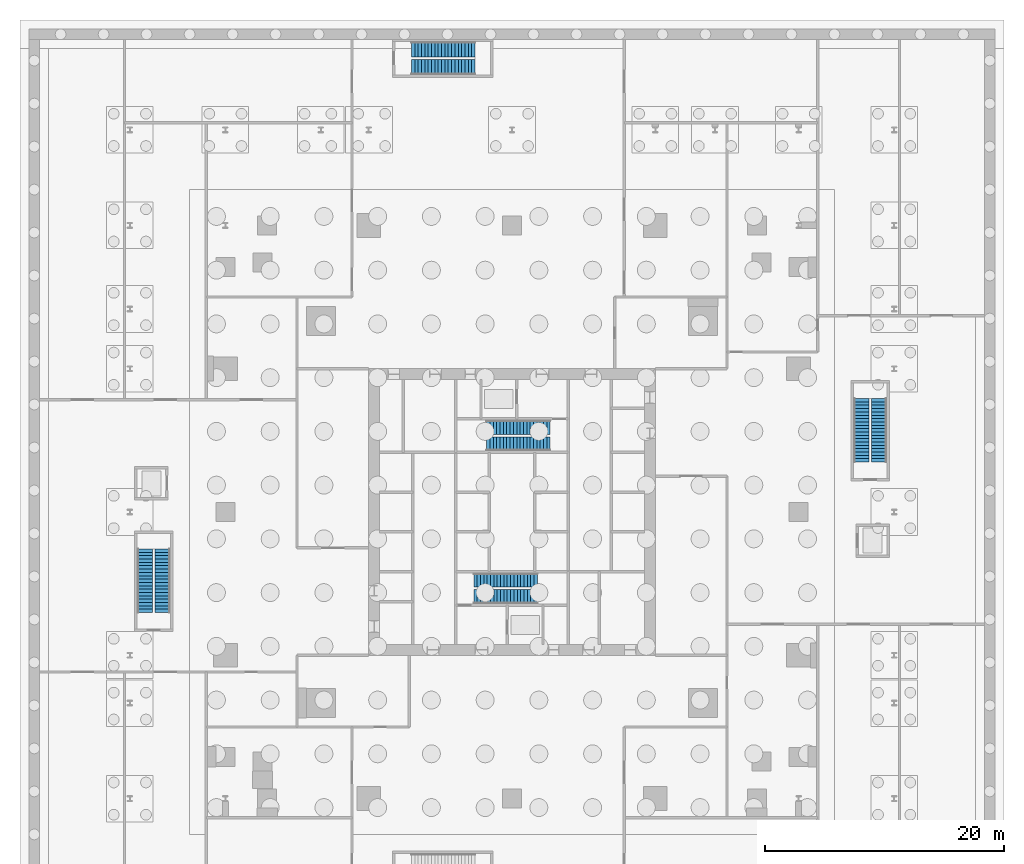
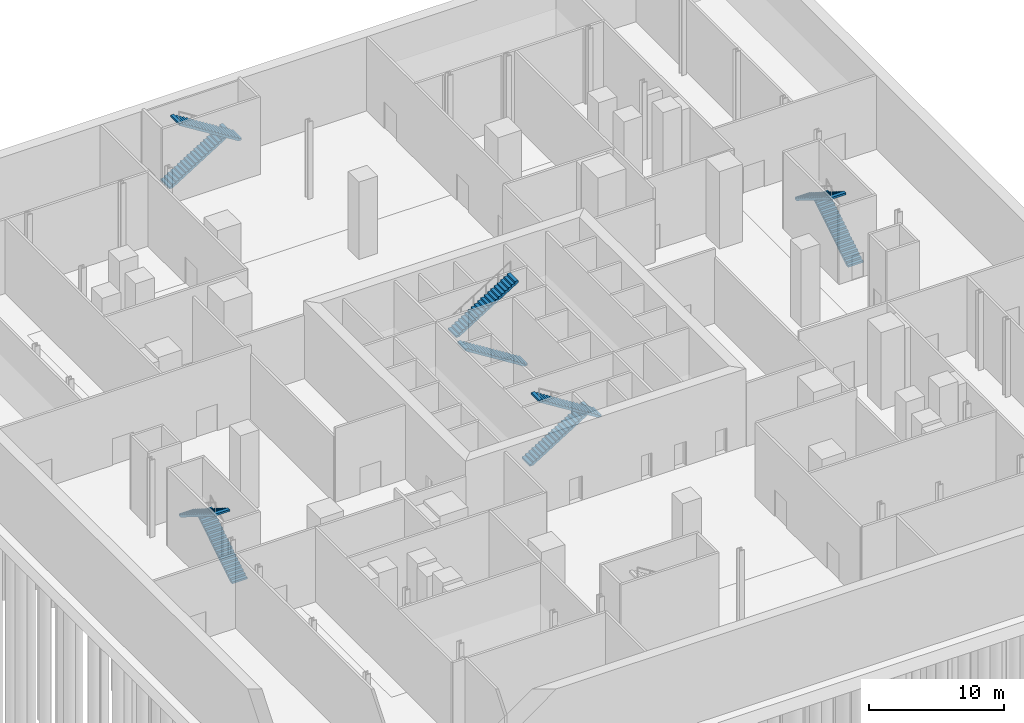
# One storey, part 13 of 15: 10 stair flights, 5 elements without a shape of their own.
"""IFC4 building model written with IfcOpenShell, lengths in metres."""

from ifc_helpers import new_model, si_unit, direction, frame, origin, place, context, subcontext, project, spatial, polyline, outline, extrude, material, type_object, element, aggregate, save


model = new_model("IFC4")

# Units and contexts
model_context = context("Model", 3, precision=1e-05, world=origin(), true_north=direction((0.0, 1.0)))
body_context = subcontext(model_context, "Body", "Model", "MODEL_VIEW")
ifc_project = project(units=[si_unit("LENGTHUNIT", "METRE"), si_unit("AREAUNIT", "SQUARE_METRE"), si_unit("VOLUMEUNIT", "CUBIC_METRE"), si_unit("PLANEANGLEUNIT", "RADIAN"), si_unit("MASSUNIT", "GRAM", prefix="KILO")], contexts=[model_context])

# Site, building, storey
site_placement = place(None, origin())
site = spatial("IfcSite", under=ifc_project, at=site_placement, CompositionType="ELEMENT")
building_placement = place(site_placement, origin())
building = spatial("IfcBuilding", under=site, at=building_placement, Name="Fenwick Lantern Interchange", CompositionType="ELEMENT")
storey_placement = place(building_placement, frame((0.0, 0.0, -7.0)))
storey = spatial("IfcBuildingStorey", under=building, at=storey_placement, Name="B-1", CompositionType="ELEMENT", Elevation=-7.0)

# Stair, stair flights
ifc_material = material(Name="Precast concrete f'c 35 MPa", Category="concrete")
stair_type_1 = type_object("IfcStairType", Name="EXIT STAIR 1200", PredefinedType="HALF_TURN_STAIR", material=ifc_material)
stair_1_placement = place(storey_placement, origin())
stair_1 = element("IfcStair", 1, at=stair_1_placement, inside=storey, type_object=stair_type_1, Name="Exit stair ST1", PredefinedType="HALF_TURN_STAIR")
stair_flight_type_1 = type_object("IfcStairFlightType", Name="STAIR FLIGHT 1200", PredefinedType="STRAIGHT", material=ifc_material)
stair_flight_1_placement = place(storey_placement, frame((21.800048828125, 19.300048828125, 0.0), z_axis=(0.0, 0.0, 1.0), x_axis=(1.0, 0.0, 0.0)))
stair_flight_1 = element("IfcStairFlight", 2, at=stair_flight_1_placement, type_object=stair_flight_type_1, Name="ST1 flight 1", NumberOfRisers=20, NumberOfTreads=19, PredefinedType="STRAIGHT", RiserHeight=0.175, TreadLength=0.28, context=body_context, shape_type="SweptSolid", body=[
    extrude(outline(polyline([(0.0, 0.0), (0.0, 0.175048828125), (0.280029296875, 0.175048828125), (0.280029296875, 0.35009765625), (0.56005859375, 0.35009765625), (0.56005859375, 0.52490234375), (0.840087890625, 0.52490234375), (0.840087890625, 0.699951171875), (1.1201171875, 0.699951171875), (1.1201171875, 0.875), (1.39990234375, 0.875), (1.39990234375, 1.050048828125), (1.679931640625, 1.050048828125), (1.679931640625, 1.22509765625), (1.9599609375, 1.22509765625), (1.9599609375, 1.39990234375), (2.239990234375, 1.39990234375), (2.239990234375, 1.574951171875), (2.52001953125, 1.574951171875), (2.52001953125, 1.75), (2.800048828125, 1.75), (2.800048828125, 1.925048828125), (3.080078125, 1.925048828125), (3.080078125, 2.10009765625), (3.360107421875, 2.10009765625), (3.360107421875, 2.27490234375), (3.639892578125, 2.27490234375), (3.639892578125, 2.449951171875), (3.919921875, 2.449951171875), (3.919921875, 2.625), (4.199951171875, 2.625), (4.199951171875, 2.800048828125), (4.47998046875, 2.800048828125), (4.47998046875, 2.97509765625), (4.760009765625, 2.97509765625), (4.760009765625, 3.14990234375), (5.0400390625, 3.14990234375), (5.0400390625, 3.324951171875), (5.320068359375, 3.324951171875), (5.320068359375, 3.5), (5.320068359375, 3.148193359375), (0.28271484375, 0.0), (0.0, 0.0)])), frame((0.0, 0.60009765625, 0.0), z_axis=(0.0, -1.0, 0.0), x_axis=(1.0, 0.0, 0.0)), (0.0, 0.0, 1.0), 1.199951171875),
])
stair_flight_2_placement = place(storey_placement, frame((27.1201171875, 17.89990234375, 3.5), z_axis=(0.0, 0.0, 1.0), x_axis=(-1.0, 0.0, 0.0)))
stair_flight_2 = element("IfcStairFlight", 3, at=stair_flight_2_placement, type_object=stair_flight_type_1, Name="ST1 flight 2", NumberOfRisers=20, NumberOfTreads=19, PredefinedType="STRAIGHT", RiserHeight=0.175, TreadLength=0.28, context=body_context, shape_type="SweptSolid", body=[
    extrude(outline(polyline([(0.0, 0.0), (0.0, 0.175048828125), (0.280029296875, 0.175048828125), (0.280029296875, 0.35009765625), (0.56005859375, 0.35009765625), (0.56005859375, 0.52490234375), (0.840087890625, 0.52490234375), (0.840087890625, 0.699951171875), (1.1201171875, 0.699951171875), (1.1201171875, 0.875), (1.39990234375, 0.875), (1.39990234375, 1.050048828125), (1.679931640625, 1.050048828125), (1.679931640625, 1.22509765625), (1.9599609375, 1.22509765625), (1.9599609375, 1.39990234375), (2.239990234375, 1.39990234375), (2.239990234375, 1.574951171875), (2.52001953125, 1.574951171875), (2.52001953125, 1.75), (2.800048828125, 1.75), (2.800048828125, 1.925048828125), (3.080078125, 1.925048828125), (3.080078125, 2.10009765625), (3.360107421875, 2.10009765625), (3.360107421875, 2.27490234375), (3.639892578125, 2.27490234375), (3.639892578125, 2.449951171875), (3.919921875, 2.449951171875), (3.919921875, 2.625), (4.199951171875, 2.625), (4.199951171875, 2.800048828125), (4.47998046875, 2.800048828125), (4.47998046875, 2.97509765625), (4.760009765625, 2.97509765625), (4.760009765625, 3.14990234375), (5.0400390625, 3.14990234375), (5.0400390625, 3.324951171875), (5.320068359375, 3.324951171875), (5.320068359375, 3.5), (5.320068359375, 3.148193359375), (0.28271484375, 0.0), (0.0, 0.0)])), frame((0.0, 0.60009765625, 0.0), z_axis=(0.0, -1.0, 0.0), x_axis=(1.0, 0.0, 0.0)), (0.0, 0.0, 1.0), 1.199951171875),
])
aggregate(stair_1, [stair_flight_1, stair_flight_2])

stair_2_placement = place(storey_placement, origin())
stair_2 = element("IfcStair", 4, at=stair_2_placement, inside=storey, type_object=stair_type_1, Name="Exit stair ST2", PredefinedType="HALF_TURN_STAIR")
stair_flight_3_placement = place(storey_placement, frame((28.199951171875, 30.699951171875, 0.0), z_axis=(0.0, 0.0, 1.0), x_axis=(-1.0, 0.0, 0.0)))
stair_flight_3 = element("IfcStairFlight", 5, at=stair_flight_3_placement, type_object=stair_flight_type_1, Name="ST2 flight 1", NumberOfRisers=20, NumberOfTreads=19, PredefinedType="STRAIGHT", RiserHeight=0.175, TreadLength=0.28, context=body_context, shape_type="SweptSolid", body=[
    extrude(outline(polyline([(0.0, 0.0), (0.0, 0.175048828125), (0.280029296875, 0.175048828125), (0.280029296875, 0.35009765625), (0.56005859375, 0.35009765625), (0.56005859375, 0.52490234375), (0.840087890625, 0.52490234375), (0.840087890625, 0.699951171875), (1.1201171875, 0.699951171875), (1.1201171875, 0.875), (1.39990234375, 0.875), (1.39990234375, 1.050048828125), (1.679931640625, 1.050048828125), (1.679931640625, 1.22509765625), (1.9599609375, 1.22509765625), (1.9599609375, 1.39990234375), (2.239990234375, 1.39990234375), (2.239990234375, 1.574951171875), (2.52001953125, 1.574951171875), (2.52001953125, 1.75), (2.800048828125, 1.75), (2.800048828125, 1.925048828125), (3.080078125, 1.925048828125), (3.080078125, 2.10009765625), (3.360107421875, 2.10009765625), (3.360107421875, 2.27490234375), (3.639892578125, 2.27490234375), (3.639892578125, 2.449951171875), (3.919921875, 2.449951171875), (3.919921875, 2.625), (4.199951171875, 2.625), (4.199951171875, 2.800048828125), (4.47998046875, 2.800048828125), (4.47998046875, 2.97509765625), (4.760009765625, 2.97509765625), (4.760009765625, 3.14990234375), (5.0400390625, 3.14990234375), (5.0400390625, 3.324951171875), (5.320068359375, 3.324951171875), (5.320068359375, 3.5), (5.320068359375, 3.148193359375), (0.28271484375, 0.0), (0.0, 0.0)])), frame((0.0, 0.60009765625, 0.0), z_axis=(0.0, -1.0, 0.0), x_axis=(1.0, 0.0, 0.0)), (0.0, 0.0, 1.0), 1.199951171875),
])
stair_flight_4_placement = place(storey_placement, frame((22.8798828125, 32.10009765625, 3.5), z_axis=(0.0, 0.0, 1.0), x_axis=(1.0, 0.0, 0.0)))
stair_flight_4 = element("IfcStairFlight", 6, at=stair_flight_4_placement, type_object=stair_flight_type_1, Name="ST2 flight 2", NumberOfRisers=20, NumberOfTreads=19, PredefinedType="STRAIGHT", RiserHeight=0.175, TreadLength=0.28, context=body_context, shape_type="SweptSolid", body=[
    extrude(outline(polyline([(0.0, 0.0), (0.0, 0.175048828125), (0.280029296875, 0.175048828125), (0.280029296875, 0.35009765625), (0.56005859375, 0.35009765625), (0.56005859375, 0.52490234375), (0.840087890625, 0.52490234375), (0.840087890625, 0.699951171875), (1.1201171875, 0.699951171875), (1.1201171875, 0.875), (1.39990234375, 0.875), (1.39990234375, 1.050048828125), (1.679931640625, 1.050048828125), (1.679931640625, 1.22509765625), (1.9599609375, 1.22509765625), (1.9599609375, 1.39990234375), (2.239990234375, 1.39990234375), (2.239990234375, 1.574951171875), (2.52001953125, 1.574951171875), (2.52001953125, 1.75), (2.800048828125, 1.75), (2.800048828125, 1.925048828125), (3.080078125, 1.925048828125), (3.080078125, 2.10009765625), (3.360107421875, 2.10009765625), (3.360107421875, 2.27490234375), (3.639892578125, 2.27490234375), (3.639892578125, 2.449951171875), (3.919921875, 2.449951171875), (3.919921875, 2.625), (4.199951171875, 2.625), (4.199951171875, 2.800048828125), (4.47998046875, 2.800048828125), (4.47998046875, 2.97509765625), (4.760009765625, 2.97509765625), (4.760009765625, 3.14990234375), (5.0400390625, 3.14990234375), (5.0400390625, 3.324951171875), (5.320068359375, 3.324951171875), (5.320068359375, 3.5), (5.320068359375, 3.148193359375), (0.28271484375, 0.0), (0.0, 0.0)])), frame((0.0, 0.60009765625, 0.0), z_axis=(0.0, -1.0, 0.0), x_axis=(1.0, 0.0, 0.0)), (0.0, 0.0, 1.0), 1.199951171875),
])
aggregate(stair_2, [stair_flight_3, stair_flight_4])

stair_type_2 = type_object("IfcStairType", Name="EXIT STAIR 1300", PredefinedType="HALF_TURN_STAIR", material=ifc_material)
stair_3_placement = place(storey_placement, origin())
stair_3 = element("IfcStair", 7, at=stair_3_placement, inside=storey, type_object=stair_type_2, Name="Exit stair PS1", PredefinedType="HALF_TURN_STAIR")
stair_flight_type_2 = type_object("IfcStairFlightType", Name="STAIR FLIGHT 1300", PredefinedType="STRAIGHT", material=ifc_material)
stair_flight_5_placement = place(storey_placement, frame((16.580078125, 63.75, 0.0), z_axis=(0.0, 0.0, 1.0), x_axis=(1.0, 0.0, 0.0)))
stair_flight_5 = element("IfcStairFlight", 8, at=stair_flight_5_placement, type_object=stair_flight_type_2, Name="PS1 flight 1", NumberOfRisers=20, NumberOfTreads=19, PredefinedType="STRAIGHT", RiserHeight=0.175, TreadLength=0.28, context=body_context, shape_type="SweptSolid", body=[
    extrude(outline(polyline([(0.0, 0.0), (0.0, 0.175048828125), (0.280029296875, 0.175048828125), (0.280029296875, 0.35009765625), (0.56005859375, 0.35009765625), (0.56005859375, 0.52490234375), (0.840087890625, 0.52490234375), (0.840087890625, 0.699951171875), (1.1201171875, 0.699951171875), (1.1201171875, 0.875), (1.39990234375, 0.875), (1.39990234375, 1.050048828125), (1.679931640625, 1.050048828125), (1.679931640625, 1.22509765625), (1.9599609375, 1.22509765625), (1.9599609375, 1.39990234375), (2.239990234375, 1.39990234375), (2.239990234375, 1.574951171875), (2.52001953125, 1.574951171875), (2.52001953125, 1.75), (2.800048828125, 1.75), (2.800048828125, 1.925048828125), (3.080078125, 1.925048828125), (3.080078125, 2.10009765625), (3.360107421875, 2.10009765625), (3.360107421875, 2.27490234375), (3.639892578125, 2.27490234375), (3.639892578125, 2.449951171875), (3.919921875, 2.449951171875), (3.919921875, 2.625), (4.199951171875, 2.625), (4.199951171875, 2.800048828125), (4.47998046875, 2.800048828125), (4.47998046875, 2.97509765625), (4.760009765625, 2.97509765625), (4.760009765625, 3.14990234375), (5.0400390625, 3.14990234375), (5.0400390625, 3.324951171875), (5.320068359375, 3.324951171875), (5.320068359375, 3.5), (5.320068359375, 3.148193359375), (0.28271484375, 0.0), (0.0, 0.0)])), frame((0.0, 0.64990234375, 0.0), z_axis=(0.0, -1.0, 0.0), x_axis=(1.0, 0.0, 0.0)), (0.0, 0.0, 1.0), 1.300048828125),
])
stair_flight_6_placement = place(storey_placement, frame((21.89990234375, 62.25, 3.5), z_axis=(0.0, 0.0, 1.0), x_axis=(-1.0, 0.0, 0.0)))
stair_flight_6 = element("IfcStairFlight", 9, at=stair_flight_6_placement, type_object=stair_flight_type_2, Name="PS1 flight 2", NumberOfRisers=20, NumberOfTreads=19, PredefinedType="STRAIGHT", RiserHeight=0.175, TreadLength=0.28, context=body_context, shape_type="SweptSolid", body=[
    extrude(outline(polyline([(0.0, 0.0), (0.0, 0.175048828125), (0.280029296875, 0.175048828125), (0.280029296875, 0.35009765625), (0.56005859375, 0.35009765625), (0.56005859375, 0.52490234375), (0.840087890625, 0.52490234375), (0.840087890625, 0.699951171875), (1.1201171875, 0.699951171875), (1.1201171875, 0.875), (1.39990234375, 0.875), (1.39990234375, 1.050048828125), (1.679931640625, 1.050048828125), (1.679931640625, 1.22509765625), (1.9599609375, 1.22509765625), (1.9599609375, 1.39990234375), (2.239990234375, 1.39990234375), (2.239990234375, 1.574951171875), (2.52001953125, 1.574951171875), (2.52001953125, 1.75), (2.800048828125, 1.75), (2.800048828125, 1.925048828125), (3.080078125, 1.925048828125), (3.080078125, 2.10009765625), (3.360107421875, 2.10009765625), (3.360107421875, 2.27490234375), (3.639892578125, 2.27490234375), (3.639892578125, 2.449951171875), (3.919921875, 2.449951171875), (3.919921875, 2.625), (4.199951171875, 2.625), (4.199951171875, 2.800048828125), (4.47998046875, 2.800048828125), (4.47998046875, 2.97509765625), (4.760009765625, 2.97509765625), (4.760009765625, 3.14990234375), (5.0400390625, 3.14990234375), (5.0400390625, 3.324951171875), (5.320068359375, 3.324951171875), (5.320068359375, 3.5), (5.320068359375, 3.148193359375), (0.28271484375, 0.0), (0.0, 0.0)])), frame((0.0, 0.64990234375, 0.0), z_axis=(0.0, -1.0, 0.0), x_axis=(1.0, 0.0, 0.0)), (0.0, 0.0, 1.0), 1.300048828125),
])
aggregate(stair_3, [stair_flight_5, stair_flight_6])

stair_4_placement = place(storey_placement, origin())
stair_4 = element("IfcStair", 10, at=stair_4_placement, inside=storey, type_object=stair_type_2, Name="Exit stair PS3", PredefinedType="HALF_TURN_STAIR")
stair_flight_7_placement = place(storey_placement, frame((-4.25, 16.580078125, 0.0), z_axis=(0.0, 0.0, 1.0), x_axis=(0.0, 1.0, 0.0)))
stair_flight_7 = element("IfcStairFlight", 11, at=stair_flight_7_placement, type_object=stair_flight_type_2, Name="PS3 flight 1", NumberOfRisers=20, NumberOfTreads=19, PredefinedType="STRAIGHT", RiserHeight=0.175, TreadLength=0.28, context=body_context, shape_type="SweptSolid", body=[
    extrude(outline(polyline([(0.0, 0.0), (0.0, 0.175048828125), (0.280029296875, 0.175048828125), (0.280029296875, 0.35009765625), (0.56005859375, 0.35009765625), (0.56005859375, 0.52490234375), (0.840087890625, 0.52490234375), (0.840087890625, 0.699951171875), (1.1201171875, 0.699951171875), (1.1201171875, 0.875), (1.39990234375, 0.875), (1.39990234375, 1.050048828125), (1.679931640625, 1.050048828125), (1.679931640625, 1.22509765625), (1.9599609375, 1.22509765625), (1.9599609375, 1.39990234375), (2.239990234375, 1.39990234375), (2.239990234375, 1.574951171875), (2.52001953125, 1.574951171875), (2.52001953125, 1.75), (2.800048828125, 1.75), (2.800048828125, 1.925048828125), (3.080078125, 1.925048828125), (3.080078125, 2.10009765625), (3.360107421875, 2.10009765625), (3.360107421875, 2.27490234375), (3.639892578125, 2.27490234375), (3.639892578125, 2.449951171875), (3.919921875, 2.449951171875), (3.919921875, 2.625), (4.199951171875, 2.625), (4.199951171875, 2.800048828125), (4.47998046875, 2.800048828125), (4.47998046875, 2.97509765625), (4.760009765625, 2.97509765625), (4.760009765625, 3.14990234375), (5.0400390625, 3.14990234375), (5.0400390625, 3.324951171875), (5.320068359375, 3.324951171875), (5.320068359375, 3.5), (5.320068359375, 3.148193359375), (0.28271484375, 0.0), (0.0, 0.0)])), frame((0.0, 0.64990234375, 0.0), z_axis=(0.0, -1.0, 0.0), x_axis=(1.0, 0.0, 0.0)), (0.0, 0.0, 1.0), 1.300048828125),
])
stair_flight_8_placement = place(storey_placement, frame((-5.75, 21.89990234375, 3.5), z_axis=(0.0, 0.0, 1.0), x_axis=(0.0, -1.0, 0.0)))
stair_flight_8 = element("IfcStairFlight", 12, at=stair_flight_8_placement, type_object=stair_flight_type_2, Name="PS3 flight 2", NumberOfRisers=20, NumberOfTreads=19, PredefinedType="STRAIGHT", RiserHeight=0.175, TreadLength=0.28, context=body_context, shape_type="SweptSolid", body=[
    extrude(outline(polyline([(0.0, 0.0), (0.0, 0.175048828125), (0.280029296875, 0.175048828125), (0.280029296875, 0.35009765625), (0.56005859375, 0.35009765625), (0.56005859375, 0.52490234375), (0.840087890625, 0.52490234375), (0.840087890625, 0.699951171875), (1.1201171875, 0.699951171875), (1.1201171875, 0.875), (1.39990234375, 0.875), (1.39990234375, 1.050048828125), (1.679931640625, 1.050048828125), (1.679931640625, 1.22509765625), (1.9599609375, 1.22509765625), (1.9599609375, 1.39990234375), (2.239990234375, 1.39990234375), (2.239990234375, 1.574951171875), (2.52001953125, 1.574951171875), (2.52001953125, 1.75), (2.800048828125, 1.75), (2.800048828125, 1.925048828125), (3.080078125, 1.925048828125), (3.080078125, 2.10009765625), (3.360107421875, 2.10009765625), (3.360107421875, 2.27490234375), (3.639892578125, 2.27490234375), (3.639892578125, 2.449951171875), (3.919921875, 2.449951171875), (3.919921875, 2.625), (4.199951171875, 2.625), (4.199951171875, 2.800048828125), (4.47998046875, 2.800048828125), (4.47998046875, 2.97509765625), (4.760009765625, 2.97509765625), (4.760009765625, 3.14990234375), (5.0400390625, 3.14990234375), (5.0400390625, 3.324951171875), (5.320068359375, 3.324951171875), (5.320068359375, 3.5), (5.320068359375, 3.148193359375), (0.28271484375, 0.0), (0.0, 0.0)])), frame((0.0, 0.64990234375, 0.0), z_axis=(0.0, -1.0, 0.0), x_axis=(1.0, 0.0, 0.0)), (0.0, 0.0, 1.0), 1.300048828125),
])
aggregate(stair_4, [stair_flight_7, stair_flight_8])

stair_5_placement = place(storey_placement, origin())
stair_5 = element("IfcStair", 13, at=stair_5_placement, inside=storey, type_object=stair_type_2, Name="Exit stair PS4", PredefinedType="HALF_TURN_STAIR")
stair_flight_9_placement = place(storey_placement, frame((55.75, 29.179931640625, 0.0), z_axis=(0.0, 0.0, 1.0), x_axis=(0.0, 1.0, 0.0)))
stair_flight_9 = element("IfcStairFlight", 14, at=stair_flight_9_placement, type_object=stair_flight_type_2, Name="PS4 flight 1", NumberOfRisers=20, NumberOfTreads=19, PredefinedType="STRAIGHT", RiserHeight=0.175, TreadLength=0.28, context=body_context, shape_type="SweptSolid", body=[
    extrude(outline(polyline([(0.0, 0.0), (0.0, 0.175048828125), (0.280029296875, 0.175048828125), (0.280029296875, 0.35009765625), (0.56005859375, 0.35009765625), (0.56005859375, 0.52490234375), (0.840087890625, 0.52490234375), (0.840087890625, 0.699951171875), (1.1201171875, 0.699951171875), (1.1201171875, 0.875), (1.39990234375, 0.875), (1.39990234375, 1.050048828125), (1.679931640625, 1.050048828125), (1.679931640625, 1.22509765625), (1.9599609375, 1.22509765625), (1.9599609375, 1.39990234375), (2.239990234375, 1.39990234375), (2.239990234375, 1.574951171875), (2.52001953125, 1.574951171875), (2.52001953125, 1.75), (2.800048828125, 1.75), (2.800048828125, 1.925048828125), (3.080078125, 1.925048828125), (3.080078125, 2.10009765625), (3.360107421875, 2.10009765625), (3.360107421875, 2.27490234375), (3.639892578125, 2.27490234375), (3.639892578125, 2.449951171875), (3.919921875, 2.449951171875), (3.919921875, 2.625), (4.199951171875, 2.625), (4.199951171875, 2.800048828125), (4.47998046875, 2.800048828125), (4.47998046875, 2.97509765625), (4.760009765625, 2.97509765625), (4.760009765625, 3.14990234375), (5.0400390625, 3.14990234375), (5.0400390625, 3.324951171875), (5.320068359375, 3.324951171875), (5.320068359375, 3.5), (5.320068359375, 3.148193359375), (0.28271484375, 0.0), (0.0, 0.0)])), frame((0.0, 0.64990234375, 0.0), z_axis=(0.0, -1.0, 0.0), x_axis=(1.0, 0.0, 0.0)), (0.0, 0.0, 1.0), 1.300048828125),
])
stair_flight_10_placement = place(storey_placement, frame((54.25, 34.5, 3.5), z_axis=(0.0, 0.0, 1.0), x_axis=(0.0, -1.0, 0.0)))
stair_flight_10 = element("IfcStairFlight", 15, at=stair_flight_10_placement, type_object=stair_flight_type_2, Name="PS4 flight 2", NumberOfRisers=20, NumberOfTreads=19, PredefinedType="STRAIGHT", RiserHeight=0.175, TreadLength=0.28, context=body_context, shape_type="SweptSolid", body=[
    extrude(outline(polyline([(0.0, 0.0), (0.0, 0.175048828125), (0.280029296875, 0.175048828125), (0.280029296875, 0.35009765625), (0.56005859375, 0.35009765625), (0.56005859375, 0.52490234375), (0.840087890625, 0.52490234375), (0.840087890625, 0.699951171875), (1.1201171875, 0.699951171875), (1.1201171875, 0.875), (1.39990234375, 0.875), (1.39990234375, 1.050048828125), (1.679931640625, 1.050048828125), (1.679931640625, 1.22509765625), (1.9599609375, 1.22509765625), (1.9599609375, 1.39990234375), (2.239990234375, 1.39990234375), (2.239990234375, 1.574951171875), (2.52001953125, 1.574951171875), (2.52001953125, 1.75), (2.800048828125, 1.75), (2.800048828125, 1.925048828125), (3.080078125, 1.925048828125), (3.080078125, 2.10009765625), (3.360107421875, 2.10009765625), (3.360107421875, 2.27490234375), (3.639892578125, 2.27490234375), (3.639892578125, 2.449951171875), (3.919921875, 2.449951171875), (3.919921875, 2.625), (4.199951171875, 2.625), (4.199951171875, 2.800048828125), (4.47998046875, 2.800048828125), (4.47998046875, 2.97509765625), (4.760009765625, 2.97509765625), (4.760009765625, 3.14990234375), (5.0400390625, 3.14990234375), (5.0400390625, 3.324951171875), (5.320068359375, 3.324951171875), (5.320068359375, 3.5), (5.320068359375, 3.148193359375), (0.28271484375, 0.0), (0.0, 0.0)])), frame((0.0, 0.64990234375, 0.0), z_axis=(0.0, -1.0, 0.0), x_axis=(1.0, 0.0, 0.0)), (0.0, 0.0, 1.0), 1.300048828125),
])
aggregate(stair_5, [stair_flight_9, stair_flight_10])

save(model, "model.ifc")
